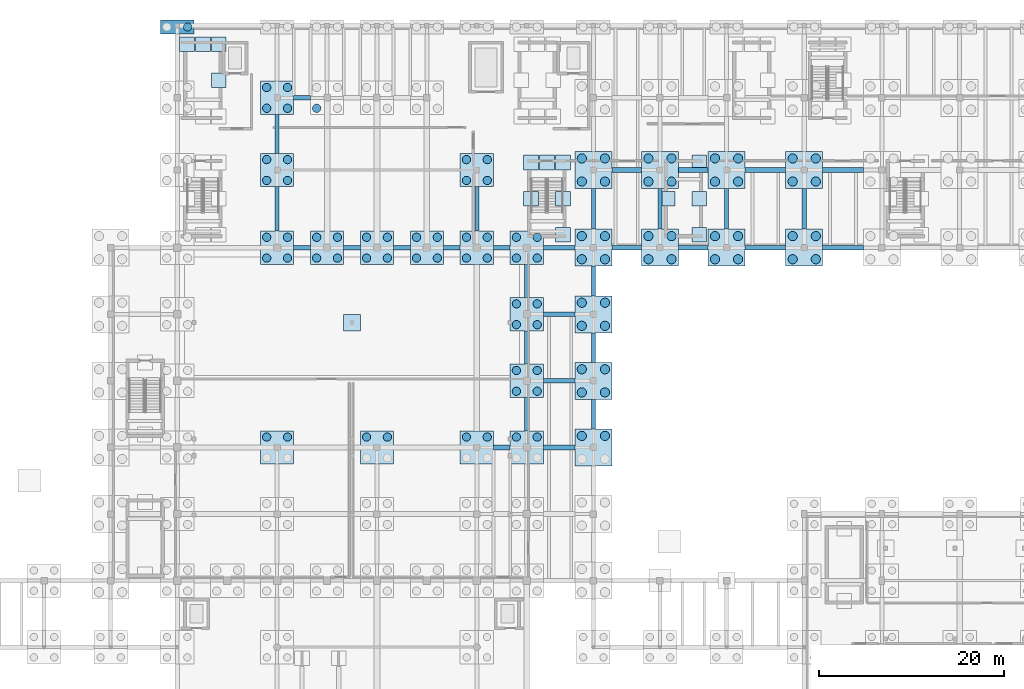
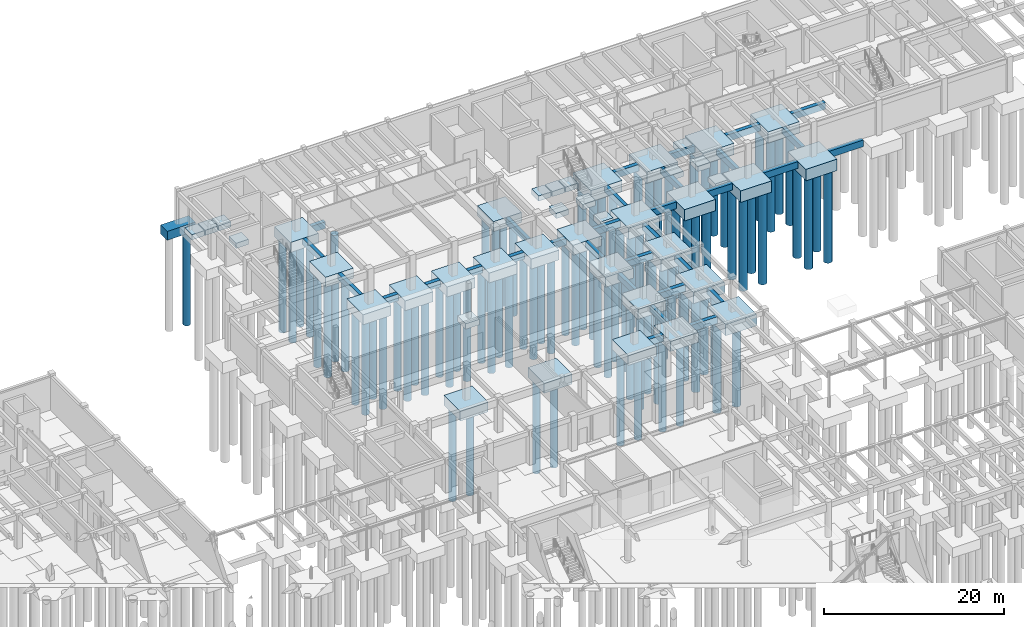
# One storey, part 6 of 46: 96 piles, 74 footings.
"""IFC4 building model written with IfcOpenShell, lengths in metres."""

import ifcopenshell
import ifcopenshell.guid

model = None  # the IFC model being written
_history = None  # IfcOwnerHistory: only IFC2X3 demands one
_inside = {}  # id of a spatial element -> (the spatial element, [elements in it])
_under = {}  # id of a project, library or spatial element -> (it, [spatial elements below it])
_declared = {}  # id of a project -> (the project, [libraries it declares])
_typed = {}  # id of a type object -> (the type object, [elements of that type])
_made_of = {}  # id of a material, layer set ... -> (it, [elements and type objects made of it])


def new_model(schema):
    """Start an empty IFC model of exactly this schema.

    Asked for "IFC4X3", IfcOpenShell would pick the latest addendum, in which some entities
    have other attributes; the version numbers below select the first issue.
    IFC2X3 requires an IfcOwnerHistory on every rooted entity: one is made here for all.
    """
    global model, _history
    if schema == "IFC4X3":
        model = ifcopenshell.file(schema_version=(4, 3, 0, 0))
    else:
        model = ifcopenshell.file(schema=schema)
    _inside.clear()
    _under.clear()
    _declared.clear()
    _typed.clear()
    _made_of.clear()
    _history = None
    if model.schema == "IFC2X3":
        org = make("IfcOrganization", Name="unknown")
        user = make(
            "IfcPersonAndOrganization",
            ThePerson=make("IfcPerson", FamilyName="unknown"),
            TheOrganization=org,
        )
        app = make(
            "IfcApplication",
            ApplicationDeveloper=org,
            Version="unknown",
            ApplicationFullName="unknown",
            ApplicationIdentifier="unknown",
        )
        _history = make(
            "IfcOwnerHistory",
            OwningUser=user,
            OwningApplication=app,
            ChangeAction="ADDED",
            CreationDate=0,
        )
    return model


def make(cls, **values):
    """One entity of the class cls with the attributes given. An attribute that is None is left unset."""
    return model.create_entity(
        cls, **{name: value for name, value in values.items() if value is not None}
    )


def rooted(cls, **values):
    """An entity with a GlobalId (a new one), such as an element, a storey or a relation."""
    return make(cls, GlobalId=ifcopenshell.guid.new(), OwnerHistory=_history, **values)


def si_unit(unit_type, name, prefix=None):
    """IfcSIUnit, for example si_unit("LENGTHUNIT", "METRE", prefix="MILLI")."""
    return make("IfcSIUnit", UnitType=unit_type, Prefix=prefix, Name=name)


def assignment(units):
    """IfcUnitAssignment: the units of a project."""
    return None if units is None else make("IfcUnitAssignment", Units=units)


def point(xyz):
    """IfcCartesianPoint."""
    return None if xyz is None else make("IfcCartesianPoint", Coordinates=xyz)


def direction(xyz):
    """IfcDirection."""
    return None if xyz is None else make("IfcDirection", DirectionRatios=xyz)


def frame(location, z_axis=None, x_axis=None):
    """IfcAxis2Placement3D, a coordinate frame: its origin and axes. An axis left out is left unset."""
    return make(
        "IfcAxis2Placement3D",
        Location=point(location),
        Axis=direction(z_axis),
        RefDirection=direction(x_axis),
    )


def frame_2d(location, x_axis=None):
    """IfcAxis2Placement2D, a coordinate frame in the plane: its origin and x axis."""
    return make(
        "IfcAxis2Placement2D", Location=point(location), RefDirection=direction(x_axis)
    )


def origin():
    """The frame at (0, 0, 0) with its axes left unset."""
    return frame((0.0, 0.0, 0.0))


def origin_2d():
    """The frame at (0, 0) in the plane with its x axis left unset."""
    return frame_2d((0.0, 0.0))


def place(relative_to, where):
    """IfcLocalPlacement: puts the frame where relative to a parent placement (None: the world)."""
    return make(
        "IfcLocalPlacement", PlacementRelTo=relative_to, RelativePlacement=where
    )


def context(
    kind, dimensions, precision=None, world=None, true_north=None, identifier=None
):
    """IfcGeometricRepresentationContext, for example the 3D "Model" context."""
    return make(
        "IfcGeometricRepresentationContext",
        ContextIdentifier=identifier,
        ContextType=kind,
        CoordinateSpaceDimension=dimensions,
        Precision=precision,
        WorldCoordinateSystem=world,
        TrueNorth=true_north,
    )


def subcontext(parent, identifier, kind, view, scale=None):
    """IfcGeometricRepresentationSubContext, for example "Body" below "Model"."""
    return make(
        "IfcGeometricRepresentationSubContext",
        ContextIdentifier=identifier,
        ContextType=kind,
        ParentContext=parent,
        TargetScale=scale,
        TargetView=view,
    )


def project(units=None, contexts=None):
    """IfcProject with its units and contexts."""
    return rooted(
        "IfcProject",
        Name="project",
        RepresentationContexts=contexts,
        UnitsInContext=assignment(units),
    )


def spatial(cls, under=None, at=None, **own):
    """A site, building, storey or space (cls), placed at a placement, below another one or the project."""
    s = rooted(cls, ObjectPlacement=at, **own)
    if under is not None:
        _under.setdefault(under.id(), (under, []))[1].append(s)
    return s


def profile(cls, at=None, kind="AREA", **sizes):
    """A parametric profile (cls). Its sizes go by their IFC names, for example OverallWidth=200.0."""
    return make(cls, ProfileType=kind, Position=at, **sizes)


def rectangle(**sizes):
    """IfcRectangleProfileDef."""
    return profile("IfcRectangleProfileDef", **sizes)


def circle(**sizes):
    """IfcCircleProfileDef."""
    return profile("IfcCircleProfileDef", **sizes)


def extrude(swept, where, along, depth):
    """IfcExtrudedAreaSolid: the profile swept, set in the frame where, extruded along a direction by depth."""
    return make(
        "IfcExtrudedAreaSolid",
        SweptArea=swept,
        Position=where,
        ExtrudedDirection=direction(along),
        Depth=depth,
    )


def shape(context_of_items, identifier, shape_type, items):
    """IfcShapeRepresentation: the items that make up one representation, for example the "Body"."""
    return make(
        "IfcShapeRepresentation",
        ContextOfItems=context_of_items,
        RepresentationIdentifier=identifier,
        RepresentationType=shape_type,
        Items=items,
    )


def material(Name=None, Category=None):
    """IfcMaterial."""
    return make("IfcMaterial", Name=Name, Category=Category)


def material_profile(
    of_material, cross_section, Name=None, Category=None, Priority=None
):
    """IfcMaterialProfile: a cross section and its material."""
    return make(
        "IfcMaterialProfile",
        Name=Name,
        Material=of_material,
        Profile=cross_section,
        Priority=Priority,
        Category=Category,
    )


def profile_set(profiles, Name=None, composite=None):
    """IfcMaterialProfileSet."""
    return make(
        "IfcMaterialProfileSet",
        Name=Name,
        MaterialProfiles=profiles,
        CompositeProfile=composite,
    )


def made_of(thing, what):
    """Note that an element or type object is made of a material, layer set ...; save() writes the relation."""
    if what is not None:
        _made_of.setdefault(what.id(), (what, []))[1].append(thing)
    return thing


def type_object(cls, material=None, **own):
    """A type object (cls), such as IfcWallType, which elements share."""
    return made_of(rooted(cls, **own), material)


def element(
    cls,
    number,
    at=None,
    inside=None,
    cuts=None,
    type_object=None,
    material=None,
    context=None,
    identifier="Body",
    shape_type=None,
    held_by="IfcProductDefinitionShape",
    body=None,
    shapes=None,
    **own,
):
    """One element of the class cls, such as IfcWall. Its Tag is "e" and its number.

    at: its placement. inside: the storey or other place that contains it. cuts: it is an
    opening in that element (IfcRelVoidsElement). A single representation is given by context,
    identifier, shape_type and body (its items); several are given by shapes. held_by: the class
    of the entity that holds the representations. save() writes the other relations.
    """
    e = rooted(cls, Tag="e%d" % number, ObjectPlacement=at, **own)
    if body is not None:
        shapes = [shape(context, identifier, shape_type, body)]
    if shapes is not None:
        e.Representation = make(held_by, Representations=shapes)
    if inside is not None:
        _inside.setdefault(inside.id(), (inside, []))[1].append(e)
    if cuts is not None:
        rooted(
            "IfcRelVoidsElement", RelatingBuildingElement=cuts, RelatedOpeningElement=e
        )
    if type_object is not None:
        _typed.setdefault(type_object.id(), (type_object, []))[1].append(e)
    return made_of(e, material)


def aggregate(whole, parts):
    """IfcRelAggregates: a whole, such as a stair, and the parts it consists of."""
    return rooted("IfcRelAggregates", RelatingObject=whole, RelatedObjects=parts)


def save(model, path):
    """Write the relations noted so far, then the file.

    IfcRelAggregates (storeys below a building ...), IfcRelContainedInSpatialStructure (elements
    in a storey), IfcRelDefinesByType, IfcRelAssociatesMaterial and IfcRelDeclares: one each for
    every whole, place, type object, material and project.
    """
    for whole, parts in _under.values():
        aggregate(whole, parts)
    for where, things in _inside.values():
        rooted(
            "IfcRelContainedInSpatialStructure",
            RelatedElements=things,
            RelatingStructure=where,
        )
    for kind, things in _typed.values():
        rooted("IfcRelDefinesByType", RelatedObjects=things, RelatingType=kind)
    for what, things in _made_of.values():
        rooted("IfcRelAssociatesMaterial", RelatedObjects=things, RelatingMaterial=what)
    for by, libraries in _declared.values():
        rooted("IfcRelDeclares", RelatingContext=by, RelatedDefinitions=libraries)
    model.write(path)


model = new_model("IFC4")

# Units and contexts
model_context = context("Model", 3, precision=1e-05, world=origin(), true_north=direction((0.0, 1.0)))
body_context = subcontext(model_context, "Body", "Model", "MODEL_VIEW")
ifc_project = project(units=[si_unit("LENGTHUNIT", "METRE"), si_unit("AREAUNIT", "SQUARE_METRE"), si_unit("VOLUMEUNIT", "CUBIC_METRE"), si_unit("PLANEANGLEUNIT", "RADIAN"), si_unit("MASSUNIT", "GRAM", prefix="KILO")], contexts=[model_context])

# Site, building, storey
site_placement = place(None, origin())
site = spatial("IfcSite", under=ifc_project, at=site_placement, CompositionType="ELEMENT")
building_placement = place(site_placement, origin())
building = spatial("IfcBuilding", under=site, at=building_placement, Name="Tazoul Stagehouse", CompositionType="ELEMENT")
storey_placement = place(building_placement, frame((0.0, 0.0, -4.800048828125)))
storey = spatial("IfcBuildingStorey", under=building, at=storey_placement, Name="B1", CompositionType="ELEMENT", Elevation=-4.800048828125)

# Piles
ifc_material = material(Name="Concrete C35/45", Category="concrete")
ifc_material_profile_1 = material_profile(ifc_material, circle(Radius=0.5, at=origin_2d()), Name="BORED PILE 1000")
ifc_profile_set_1 = profile_set([ifc_material_profile_1], Name="Concrete C35/45")
pile_type_1 = type_object("IfcPileType", Name="Bored Cast-in-Place Concrete Pile D1000", PredefinedType="BORED", material=ifc_profile_set_1)
for number, where, z_axis, x_axis, name in (
    (1, (101.35009765625, 67.449951171875, -1.449951171875), (0.0, 0.0, -1.0), (1.0, 0.0, 0.0), "Bored Pile PL-03 16/K-3"),
    (2, (103.85009765625, 67.449951171875, -1.449951171875), (0.0, 0.0, -1.0), (1.0, 0.0, 0.0), "Bored Pile PL-03 16/K-4"),
    (3, (101.35009765625, 72.14990234375, -1.449951171875), (0.0, 0.0, -1.0), (1.0, 0.0, 0.0), "Bored Pile PL-03 16/L-1"),
    (4, (103.85009765625, 72.14990234375, -1.449951171875), (0.0, 0.0, -1.0), (1.0, 0.0, 0.0), "Bored Pile PL-03 16/L-2"),
    (5, (101.35009765625, 74.64990234375, -1.449951171875), (0.0, 0.0, -1.0), (1.0, 0.0, 0.0), "Bored Pile PL-03 16/L-3"),
    (6, (103.85009765625, 74.64990234375, -1.449951171875), (0.0, 0.0, -1.0), (1.0, 0.0, 0.0), "Bored Pile PL-03 16/L-4"),
    (7, (101.35009765625, 79.35009765625, -1.449951171875), (0.0, 0.0, -1.0), (1.0, 0.0, 0.0), "Bored Pile PL-03 16/M-1"),
    (8, (103.85009765625, 79.35009765625, -1.449951171875), (0.0, 0.0, -1.0), (1.0, 0.0, 0.0), "Bored Pile PL-03 16/M-2"),
    (9, (101.35009765625, 81.85009765625, -1.449951171875), (0.0, 0.0, -1.0), (1.0, 0.0, 0.0), "Bored Pile PL-03 16/M-3"),
    (10, (103.85009765625, 81.85009765625, -1.449951171875), (0.0, 0.0, -1.0), (1.0, 0.0, 0.0), "Bored Pile PL-03 16/M-4"),
    (11, (101.35009765625, 86.550048828125, -1.449951171875), (0.0, 0.0, -1.0), (1.0, 0.0, 0.0), "Bored Pile PL-03 16/N-1"),
    (12, (103.85009765625, 86.550048828125, -1.449951171875), (0.0, 0.0, -1.0), (1.0, 0.0, 0.0), "Bored Pile PL-03 16/N-2"),
    (13, (101.35009765625, 89.050048828125, -1.449951171875), (0.0, 0.0, -1.0), (1.0, 0.0, 0.0), "Bored Pile PL-03 16/N-3"),
    (14, (103.85009765625, 89.050048828125, -1.449951171875), (0.0, 0.0, -1.0), (1.0, 0.0, 0.0), "Bored Pile PL-03 16/N-4"),
    (15, (101.35009765625, 94.949951171875, -1.449951171875), (0.0, 0.0, -1.0), (1.0, 0.0, 0.0), "Bored Pile PL-03 16/P-1"),
    (16, (103.85009765625, 94.949951171875, -1.449951171875), (0.0, 0.0, -1.0), (1.0, 0.0, 0.0), "Bored Pile PL-03 16/P-2"),
    (17, (101.35009765625, 97.449951171875, -1.449951171875), (0.0, 0.0, -1.0), (1.0, 0.0, 0.0), "Bored Pile PL-03 16/P-3"),
    (18, (103.85009765625, 97.449951171875, -1.449951171875), (0.0, 0.0, -1.0), (1.0, 0.0, 0.0), "Bored Pile PL-03 16/P-4"),
    (19, (108.550048828125, 86.550048828125, -1.449951171875), (0.0, 0.0, -1.0), (1.0, 0.0, 0.0), "Bored Pile PL-03 17/N-1"),
    (20, (111.050048828125, 86.550048828125, -1.449951171875), (0.0, 0.0, -1.0), (1.0, 0.0, 0.0), "Bored Pile PL-03 17/N-2"),
    (21, (108.550048828125, 89.050048828125, -1.449951171875), (0.0, 0.0, -1.0), (1.0, 0.0, 0.0), "Bored Pile PL-03 17/N-3"),
    (22, (111.050048828125, 89.050048828125, -1.449951171875), (0.0, 0.0, -1.0), (1.0, 0.0, 0.0), "Bored Pile PL-03 17/N-4"),
    (23, (108.550048828125, 94.949951171875, -1.449951171875), (0.0, 0.0, -1.0), (1.0, 0.0, 0.0), "Bored Pile PL-03 17/P-1"),
    (24, (111.050048828125, 94.949951171875, -1.449951171875), (0.0, 0.0, -1.0), (1.0, 0.0, 0.0), "Bored Pile PL-03 17/P-2"),
    (25, (108.550048828125, 97.449951171875, -1.449951171875), (0.0, 0.0, -1.0), (1.0, 0.0, 0.0), "Bored Pile PL-03 17/P-3"),
    (26, (111.050048828125, 97.449951171875, -1.449951171875), (0.0, 0.0, -1.0), (1.0, 0.0, 0.0), "Bored Pile PL-03 17/P-4"),
    (27, (115.75, 86.550048828125, -1.449951171875), (0.0, 0.0, -1.0), (1.0, 0.0, 0.0), "Bored Pile PL-03 18/N-1"),
    (28, (118.25, 86.550048828125, -1.449951171875), (0.0, 0.0, -1.0), (1.0, 0.0, 0.0), "Bored Pile PL-03 18/N-2"),
    (29, (115.75, 89.050048828125, -1.449951171875), (0.0, 0.0, -1.0), (1.0, 0.0, 0.0), "Bored Pile PL-03 18/N-3"),
    (30, (118.25, 89.050048828125, -1.449951171875), (0.0, 0.0, -1.0), (1.0, 0.0, 0.0), "Bored Pile PL-03 18/N-4"),
    (31, (115.75, 94.949951171875, -1.449951171875), (0.0, 0.0, -1.0), (1.0, 0.0, 0.0), "Bored Pile PL-03 18/P-1"),
    (32, (118.25, 94.949951171875, -1.449951171875), (0.0, 0.0, -1.0), (1.0, 0.0, 0.0), "Bored Pile PL-03 18/P-2"),
    (33, (115.75, 97.449951171875, -1.449951171875), (0.0, 0.0, -1.0), (1.0, 0.0, 0.0), "Bored Pile PL-03 18/P-3"),
    (34, (118.25, 97.449951171875, -1.449951171875), (0.0, 0.0, -1.0), (1.0, 0.0, 0.0), "Bored Pile PL-03 18/P-4"),
    (35, (124.14990234375, 86.550048828125, -1.449951171875), (0.0, 0.0, -1.0), (1.0, 0.0, 0.0), "Bored Pile PL-03 19/N-1"),
    (36, (126.64990234375, 86.550048828125, -1.449951171875), (0.0, 0.0, -1.0), (1.0, 0.0, 0.0), "Bored Pile PL-03 19/N-2"),
    (37, (124.14990234375, 89.050048828125, -1.449951171875), (0.0, 0.0, -1.0), (1.0, 0.0, 0.0), "Bored Pile PL-03 19/N-3"),
    (38, (126.64990234375, 89.050048828125, -1.449951171875), (0.0, 0.0, -1.0), (1.0, 0.0, 0.0), "Bored Pile PL-03 19/N-4"),
    (39, (124.14990234375, 94.949951171875, -1.449951171875), (0.0, 0.0, -1.0), (1.0, 0.0, 0.0), "Bored Pile PL-03 19/P-1"),
    (40, (126.64990234375, 94.949951171875, -1.449951171875), (0.0, 0.0, -1.0), (1.0, 0.0, 0.0), "Bored Pile PL-03 19/P-2"),
    (41, (124.14990234375, 97.449951171875, -1.449951171875), (0.0, 0.0, -1.0), (1.0, 0.0, 0.0), "Bored Pile PL-03 19/P-3"),
    (42, (126.64990234375, 97.449951171875, -1.449951171875), (0.0, 0.0, -1.0), (1.0, 0.0, 0.0), "Bored Pile PL-03 19/P-4"),
):
    element("IfcPile", number, at=place(storey_placement, frame(where, z_axis=z_axis, x_axis=x_axis)), inside=storey, type_object=pile_type_1, Name=name, PredefinedType="BORED", context=body_context, shape_type="SweptSolid", body=[
        extrude(circle(Radius=0.5, at=origin_2d()), origin(), (0.0, 0.0, 1.0), 12.550048828125),
    ])
ifc_material_profile_2 = material_profile(ifc_material, circle(Radius=0.449951171875, at=origin_2d()), Name="BORED PILE 900")
ifc_profile_set_2 = profile_set([ifc_material_profile_2], Name="Concrete C35/45")
pile_type_2 = type_object("IfcPileType", Name="Bored Cast-in-Place Concrete Pile D900", PredefinedType="BORED", material=ifc_profile_set_2)
for number, where, z_axis, x_axis, name in (
    (43, (67.27490234375, 67.324951171875, -1.25), (0.0, 0.0, -1.0), (1.0, 0.0, 0.0), "Bored Pile PL-02 10/K-3"),
    (44, (69.52490234375, 67.324951171875, -1.25), (0.0, 0.0, -1.0), (1.0, 0.0, 0.0), "Bored Pile PL-02 10/K-4"),
    (45, (67.27490234375, 86.675048828125, -1.25), (0.0, 0.0, -1.0), (1.0, 0.0, 0.0), "Bored Pile PL-02 10/N-1"),
    (46, (69.52490234375, 86.675048828125, -1.25), (0.0, 0.0, -1.0), (1.0, 0.0, 0.0), "Bored Pile PL-02 10/N-2"),
    (47, (67.27490234375, 88.925048828125, -1.25), (0.0, 0.0, -1.0), (1.0, 0.0, 0.0), "Bored Pile PL-02 10/N-3"),
    (48, (69.52490234375, 88.925048828125, -1.25), (0.0, 0.0, -1.0), (1.0, 0.0, 0.0), "Bored Pile PL-02 10/N-4"),
    (49, (67.27490234375, 95.074951171875, -1.25), (0.0, 0.0, -1.0), (1.0, 0.0, 0.0), "Bored Pile PL-02 10/P-1"),
    (50, (69.52490234375, 95.074951171875, -1.25), (0.0, 0.0, -1.0), (1.0, 0.0, 0.0), "Bored Pile PL-02 10/P-2"),
    (51, (67.27490234375, 97.324951171875, -1.25), (0.0, 0.0, -1.0), (1.0, 0.0, 0.0), "Bored Pile PL-02 10/P-3"),
    (52, (69.52490234375, 97.324951171875, -1.25), (0.0, 0.0, -1.0), (1.0, 0.0, 0.0), "Bored Pile PL-02 10/P-4"),
    (53, (67.27490234375, 102.875, -1.25), (0.0, 0.0, -1.0), (1.0, 0.0, 0.0), "Bored Pile PL-02 10/Q-1"),
    (54, (69.52490234375, 102.875, -1.25), (0.0, 0.0, -1.0), (1.0, 0.0, 0.0), "Bored Pile PL-02 10/Q-2"),
    (55, (67.27490234375, 105.125, -1.25), (0.0, 0.0, -1.0), (1.0, 0.0, 0.0), "Bored Pile PL-02 10/Q-3"),
    (56, (69.52490234375, 105.125, -1.25), (0.0, 0.0, -1.0), (1.0, 0.0, 0.0), "Bored Pile PL-02 10/Q-4"),
    (57, (72.675048828125, 86.675048828125, -1.25), (0.0, 0.0, -1.0), (1.0, 0.0, 0.0), "Bored Pile PL-02 11/N-1"),
    (58, (74.925048828125, 86.675048828125, -1.25), (0.0, 0.0, -1.0), (1.0, 0.0, 0.0), "Bored Pile PL-02 11/N-2"),
    (59, (72.675048828125, 88.925048828125, -1.25), (0.0, 0.0, -1.0), (1.0, 0.0, 0.0), "Bored Pile PL-02 11/N-3"),
    (60, (74.925048828125, 88.925048828125, -1.25), (0.0, 0.0, -1.0), (1.0, 0.0, 0.0), "Bored Pile PL-02 11/N-4"),
    (61, (72.675048828125, 102.875, -1.25), (0.0, 0.0, -1.0), (1.0, 0.0, 0.0), "Bored Pile PL-02 11/Q-1"),
    (62, (78.074951171875, 67.324951171875, -1.25), (0.0, 0.0, -1.0), (1.0, 0.0, 0.0), "Bored Pile PL-02 12/K-3"),
    (63, (80.324951171875, 67.324951171875, -1.25), (0.0, 0.0, -1.0), (1.0, 0.0, 0.0), "Bored Pile PL-02 12/K-4"),
    (64, (78.074951171875, 86.675048828125, -1.25), (0.0, 0.0, -1.0), (1.0, 0.0, 0.0), "Bored Pile PL-02 12/N-1"),
    (65, (80.324951171875, 86.675048828125, -1.25), (0.0, 0.0, -1.0), (1.0, 0.0, 0.0), "Bored Pile PL-02 12/N-2"),
    (66, (78.074951171875, 88.925048828125, -1.25), (0.0, 0.0, -1.0), (1.0, 0.0, 0.0), "Bored Pile PL-02 12/N-3"),
    (67, (80.324951171875, 88.925048828125, -1.25), (0.0, 0.0, -1.0), (1.0, 0.0, 0.0), "Bored Pile PL-02 12/N-4"),
    (68, (83.47509765625, 86.675048828125, -1.25), (0.0, 0.0, -1.0), (1.0, 0.0, 0.0), "Bored Pile PL-02 13/N-1"),
    (69, (85.72509765625, 86.675048828125, -1.25), (0.0, 0.0, -1.0), (1.0, 0.0, 0.0), "Bored Pile PL-02 13/N-2"),
    (70, (83.47509765625, 88.925048828125, -1.25), (0.0, 0.0, -1.0), (1.0, 0.0, 0.0), "Bored Pile PL-02 13/N-3"),
    (71, (85.72509765625, 88.925048828125, -1.25), (0.0, 0.0, -1.0), (1.0, 0.0, 0.0), "Bored Pile PL-02 13/N-4"),
    (72, (88.875, 67.324951171875, -1.25), (0.0, 0.0, -1.0), (1.0, 0.0, 0.0), "Bored Pile PL-02 14/K-3"),
    (73, (91.125, 67.324951171875, -1.25), (0.0, 0.0, -1.0), (1.0, 0.0, 0.0), "Bored Pile PL-02 14/K-4"),
    (74, (88.875, 86.675048828125, -1.25), (0.0, 0.0, -1.0), (1.0, 0.0, 0.0), "Bored Pile PL-02 14/N-1"),
    (75, (91.125, 86.675048828125, -1.25), (0.0, 0.0, -1.0), (1.0, 0.0, 0.0), "Bored Pile PL-02 14/N-2"),
    (76, (88.875, 88.925048828125, -1.25), (0.0, 0.0, -1.0), (1.0, 0.0, 0.0), "Bored Pile PL-02 14/N-3"),
    (77, (91.125, 88.925048828125, -1.25), (0.0, 0.0, -1.0), (1.0, 0.0, 0.0), "Bored Pile PL-02 14/N-4"),
    (78, (88.875, 95.074951171875, -1.25), (0.0, 0.0, -1.0), (1.0, 0.0, 0.0), "Bored Pile PL-02 14/P-1"),
    (79, (91.125, 95.074951171875, -1.25), (0.0, 0.0, -1.0), (1.0, 0.0, 0.0), "Bored Pile PL-02 14/P-2"),
    (80, (88.875, 97.324951171875, -1.25), (0.0, 0.0, -1.0), (1.0, 0.0, 0.0), "Bored Pile PL-02 14/P-3"),
    (81, (91.125, 97.324951171875, -1.25), (0.0, 0.0, -1.0), (1.0, 0.0, 0.0), "Bored Pile PL-02 14/P-4"),
    (82, (94.27490234375, 67.324951171875, -1.25), (0.0, 0.0, -1.0), (1.0, 0.0, 0.0), "Bored Pile PL-02 15/K-3"),
    (83, (96.52490234375, 67.324951171875, -1.25), (0.0, 0.0, -1.0), (1.0, 0.0, 0.0), "Bored Pile PL-02 15/K-4"),
    (84, (94.27490234375, 72.27490234375, -1.25), (0.0, 0.0, -1.0), (1.0, 0.0, 0.0), "Bored Pile PL-02 15/L-1"),
    (85, (96.52490234375, 72.27490234375, -1.25), (0.0, 0.0, -1.0), (1.0, 0.0, 0.0), "Bored Pile PL-02 15/L-2"),
    (86, (94.27490234375, 74.52490234375, -1.25), (0.0, 0.0, -1.0), (1.0, 0.0, 0.0), "Bored Pile PL-02 15/L-3"),
    (87, (96.52490234375, 74.52490234375, -1.25), (0.0, 0.0, -1.0), (1.0, 0.0, 0.0), "Bored Pile PL-02 15/L-4"),
    (88, (94.27490234375, 79.47509765625, -1.25), (0.0, 0.0, -1.0), (1.0, 0.0, 0.0), "Bored Pile PL-02 15/M-1"),
    (89, (96.52490234375, 79.47509765625, -1.25), (0.0, 0.0, -1.0), (1.0, 0.0, 0.0), "Bored Pile PL-02 15/M-2"),
    (90, (94.27490234375, 81.72509765625, -1.25), (0.0, 0.0, -1.0), (1.0, 0.0, 0.0), "Bored Pile PL-02 15/M-3"),
    (91, (96.52490234375, 81.72509765625, -1.25), (0.0, 0.0, -1.0), (1.0, 0.0, 0.0), "Bored Pile PL-02 15/M-4"),
    (92, (94.27490234375, 86.675048828125, -1.25), (0.0, 0.0, -1.0), (1.0, 0.0, 0.0), "Bored Pile PL-02 15/N-1"),
    (93, (96.52490234375, 86.675048828125, -1.25), (0.0, 0.0, -1.0), (1.0, 0.0, 0.0), "Bored Pile PL-02 15/N-2"),
    (94, (94.27490234375, 88.925048828125, -1.25), (0.0, 0.0, -1.0), (1.0, 0.0, 0.0), "Bored Pile PL-02 15/N-3"),
    (95, (96.52490234375, 88.925048828125, -1.25), (0.0, 0.0, -1.0), (1.0, 0.0, 0.0), "Bored Pile PL-02 15/N-4"),
):
    element("IfcPile", number, at=place(storey_placement, frame(where, z_axis=z_axis, x_axis=x_axis)), inside=storey, type_object=pile_type_2, Name=name, PredefinedType="BORED", context=body_context, shape_type="SweptSolid", body=[
        extrude(circle(Radius=0.449951171875, at=origin_2d()), origin(), (0.0, 0.0, 1.0), 12.75),
    ])
pile_placement = place(storey_placement, frame((58.72509765625, 111.669921875, -1.099853515625), z_axis=(0.0, 0.0, -1.0), x_axis=(1.0, 0.0, 0.0)))
element("IfcPile", 96, at=pile_placement, inside=storey, type_object=pile_type_2, Name="Bored Pile PL-02 8/R-2", PredefinedType="BORED", context=body_context, shape_type="SweptSolid", body=[
    extrude(circle(Radius=0.449951171875, at=origin_2d()), origin(), (0.0, 0.0, 1.0), 12.89990234375),
])

# Footings
footing_type_1 = type_object("IfcFootingType", Name="Four-Pile Cap 3600x3600x1350", PredefinedType="PILE_CAP", material=ifc_material)
for number, where, z_axis, x_axis, name in (
    (97, (68.39990234375, 66.199951171875, -1.35009765625), (0.0, 0.0, 1.0), (1.0, 0.0, 0.0), "Pile Cap PC-04 at 10/K"),
    (98, (68.39990234375, 87.800048828125, -1.35009765625), (0.0, 0.0, 1.0), (1.0, 0.0, 0.0), "Pile Cap PC-04 at 10/N"),
    (99, (68.39990234375, 96.199951171875, -1.35009765625), (0.0, 0.0, 1.0), (1.0, 0.0, 0.0), "Pile Cap PC-04 at 10/P"),
    (100, (68.39990234375, 104.0, -1.35009765625), (0.0, 0.0, 1.0), (1.0, 0.0, 0.0), "Pile Cap PC-04 at 10/Q"),
    (101, (73.800048828125, 87.800048828125, -1.35009765625), (0.0, 0.0, 1.0), (1.0, 0.0, 0.0), "Pile Cap PC-04 at 11/N"),
    (102, (79.199951171875, 66.199951171875, -1.35009765625), (0.0, 0.0, 1.0), (1.0, 0.0, 0.0), "Pile Cap PC-04 at 12/K"),
    (103, (79.199951171875, 87.800048828125, -1.35009765625), (0.0, 0.0, 1.0), (1.0, 0.0, 0.0), "Pile Cap PC-04 at 12/N"),
    (104, (84.60009765625, 87.800048828125, -1.35009765625), (0.0, 0.0, 1.0), (1.0, 0.0, 0.0), "Pile Cap PC-04 at 13/N"),
    (105, (90.0, 66.199951171875, -1.35009765625), (0.0, 0.0, 1.0), (1.0, 0.0, 0.0), "Pile Cap PC-04 at 14/K"),
    (106, (90.0, 87.800048828125, -1.35009765625), (0.0, 0.0, 1.0), (1.0, 0.0, 0.0), "Pile Cap PC-04 at 14/N"),
    (107, (90.0, 96.199951171875, -1.35009765625), (0.0, 0.0, 1.0), (1.0, 0.0, 0.0), "Pile Cap PC-04 at 14/P"),
    (108, (95.39990234375, 66.199951171875, -1.35009765625), (0.0, 0.0, 1.0), (1.0, 0.0, 0.0), "Pile Cap PC-04 at 15/K"),
    (109, (95.39990234375, 73.39990234375, -1.35009765625), (0.0, 0.0, 1.0), (1.0, 0.0, 0.0), "Pile Cap PC-04 at 15/L"),
    (110, (95.39990234375, 80.60009765625, -1.35009765625), (0.0, 0.0, 1.0), (1.0, 0.0, 0.0), "Pile Cap PC-04 at 15/M"),
    (111, (95.39990234375, 87.800048828125, -1.35009765625), (0.0, 0.0, 1.0), (1.0, 0.0, 0.0), "Pile Cap PC-04 at 15/N"),
):
    element("IfcFooting", number, at=place(storey_placement, frame(where, z_axis=z_axis, x_axis=x_axis)), inside=storey, type_object=footing_type_1, Name=name, PredefinedType="PILE_CAP", context=body_context, shape_type="SweptSolid", body=[
        extrude(rectangle(XDim=3.60009765625, YDim=3.60009765625, at=origin_2d()), origin(), (0.0, 0.0, 1.0), 1.35009765625),
    ])
footing_type_2 = type_object("IfcFootingType", Name="Four-Pile Cap 4000x4000x1550", PredefinedType="PILE_CAP", material=ifc_material)
for number, where, z_axis, x_axis, name in (
    (112, (102.60009765625, 66.199951171875, -1.5498046875), (0.0, 0.0, 1.0), (1.0, 0.0, 0.0), "Pile Cap PC-06 at 16/K"),
    (113, (102.60009765625, 73.39990234375, -1.5498046875), (0.0, 0.0, 1.0), (1.0, 0.0, 0.0), "Pile Cap PC-06 at 16/L"),
    (114, (102.60009765625, 80.60009765625, -1.5498046875), (0.0, 0.0, 1.0), (1.0, 0.0, 0.0), "Pile Cap PC-06 at 16/M"),
    (115, (102.60009765625, 87.800048828125, -1.5498046875), (0.0, 0.0, 1.0), (1.0, 0.0, 0.0), "Pile Cap PC-06 at 16/N"),
    (116, (102.60009765625, 96.199951171875, -1.5498046875), (0.0, 0.0, 1.0), (1.0, 0.0, 0.0), "Pile Cap PC-06 at 16/P"),
    (117, (109.800048828125, 87.800048828125, -1.5498046875), (0.0, 0.0, 1.0), (1.0, 0.0, 0.0), "Pile Cap PC-06 at 17/N"),
    (118, (109.800048828125, 96.199951171875, -1.5498046875), (0.0, 0.0, 1.0), (1.0, 0.0, 0.0), "Pile Cap PC-06 at 17/P"),
    (119, (117.0, 87.800048828125, -1.5498046875), (0.0, 0.0, 1.0), (1.0, 0.0, 0.0), "Pile Cap PC-06 at 18/N"),
    (120, (117.0, 96.199951171875, -1.5498046875), (0.0, 0.0, 1.0), (1.0, 0.0, 0.0), "Pile Cap PC-06 at 18/P"),
    (121, (125.39990234375, 87.800048828125, -1.5498046875), (0.0, 0.0, 1.0), (1.0, 0.0, 0.0), "Pile Cap PC-06 at 19/N"),
    (122, (125.39990234375, 96.199951171875, -1.5498046875), (0.0, 0.0, 1.0), (1.0, 0.0, 0.0), "Pile Cap PC-06 at 19/P"),
):
    element("IfcFooting", number, at=place(storey_placement, frame(where, z_axis=z_axis, x_axis=x_axis)), inside=storey, type_object=footing_type_2, Name=name, PredefinedType="PILE_CAP", context=body_context, shape_type="SweptSolid", body=[
        extrude(rectangle(XDim=4.0, YDim=4.0, at=origin_2d()), origin(), (0.0, 0.0, 1.0), 1.550048828125),
    ])
ifc_material_profile_3 = material_profile(ifc_material, rectangle(XDim=0.449951171875, YDim=0.800048828125, at=origin_2d()), Name="RC 450x800")
ifc_profile_set_3 = profile_set([ifc_material_profile_3], Name="Concrete C35/45")
footing_type_3 = type_object("IfcFootingType", Name="Ground Tie Beam 450x800", PredefinedType="FOOTING_BEAM", material=ifc_profile_set_3)
footing_1_placement = place(storey_placement, frame((68.39990234375, 89.60009765625, -0.39990234375), z_axis=(0.0, 1.0, 0.0), x_axis=(-1.0, 0.0, 0.0)))
element("IfcFooting", 123, at=footing_1_placement, inside=storey, type_object=footing_type_3, Name="Ground Tie Beam GB-01 10/N-P", PredefinedType="FOOTING_BEAM", context=body_context, shape_type="SweptSolid", body=[
    extrude(rectangle(XDim=0.449951171875, YDim=0.800048828125, at=origin_2d()), origin(), (0.0, 0.0, 1.0), 4.7998046875),
])
footing_2_placement = place(storey_placement, frame((68.39990234375, 98.0, -0.39990234375), z_axis=(0.0, 1.0, 0.0), x_axis=(-1.0, 0.0, 0.0)))
element("IfcFooting", 124, at=footing_2_placement, inside=storey, type_object=footing_type_3, Name="Ground Tie Beam GB-01 10/P-Q", PredefinedType="FOOTING_BEAM", context=body_context, shape_type="SweptSolid", body=[
    extrude(rectangle(XDim=0.449951171875, YDim=0.800048828125, at=origin_2d()), origin(), (0.0, 0.0, 1.0), 4.199951171875),
])
footing_3_placement = place(storey_placement, frame((90.0, 89.60009765625, -0.39990234375), z_axis=(0.0, 1.0, 0.0), x_axis=(-1.0, 0.0, 0.0)))
element("IfcFooting", 125, at=footing_3_placement, inside=storey, type_object=footing_type_3, Name="Ground Tie Beam GB-01 14/N-P", PredefinedType="FOOTING_BEAM", context=body_context, shape_type="SweptSolid", body=[
    extrude(rectangle(XDim=0.449951171875, YDim=0.800048828125, at=origin_2d()), origin(), (0.0, 0.0, 1.0), 4.7998046875),
])
for number, where, z_axis, x_axis, name in (
    (126, (95.39990234375, 68.0, -0.39990234375), (0.0, 1.0, 0.0), (-1.0, 0.0, 0.0), "Ground Tie Beam GB-01 15/K-L"),
    (127, (95.39990234375, 75.199951171875, -0.39990234375), (0.0, 1.0, 0.0), (-1.0, 0.0, 0.0), "Ground Tie Beam GB-01 15/L-M"),
    (128, (95.39990234375, 82.39990234375, -0.39990234375), (0.0, 1.0, 0.0), (-1.0, 0.0, 0.0), "Ground Tie Beam GB-01 15/M-N"),
):
    element("IfcFooting", number, at=place(storey_placement, frame(where, z_axis=z_axis, x_axis=x_axis)), inside=storey, type_object=footing_type_3, Name=name, PredefinedType="FOOTING_BEAM", context=body_context, shape_type="SweptSolid", body=[
        extrude(rectangle(XDim=0.449951171875, YDim=0.800048828125, at=origin_2d()), origin(), (0.0, 0.0, 1.0), 3.60009765625),
    ])
footing_4_placement = place(storey_placement, frame((102.60009765625, 68.199951171875, -0.39990234375), z_axis=(0.0, 1.0, 0.0), x_axis=(-1.0, 0.0, 0.0)))
element("IfcFooting", 129, at=footing_4_placement, inside=storey, type_object=footing_type_3, Name="Ground Tie Beam GB-01 16/K-L", PredefinedType="FOOTING_BEAM", context=body_context, shape_type="SweptSolid", body=[
    extrude(rectangle(XDim=0.449951171875, YDim=0.800048828125, at=origin_2d()), origin(), (0.0, 0.0, 1.0), 3.199951171875),
])
footing_5_placement = place(storey_placement, frame((102.60009765625, 75.39990234375, -0.39990234375), z_axis=(0.0, 1.0, 0.0), x_axis=(-1.0, 0.0, 0.0)))
element("IfcFooting", 130, at=footing_5_placement, inside=storey, type_object=footing_type_3, Name="Ground Tie Beam GB-01 16/L-M", PredefinedType="FOOTING_BEAM", context=body_context, shape_type="SweptSolid", body=[
    extrude(rectangle(XDim=0.449951171875, YDim=0.800048828125, at=origin_2d()), origin(), (0.0, 0.0, 1.0), 3.2001953125),
])
footing_6_placement = place(storey_placement, frame((102.60009765625, 82.60009765625, -0.39990234375), z_axis=(0.0, 1.0, 0.0), x_axis=(-1.0, 0.0, 0.0)))
element("IfcFooting", 131, at=footing_6_placement, inside=storey, type_object=footing_type_3, Name="Ground Tie Beam GB-01 16/M-N", PredefinedType="FOOTING_BEAM", context=body_context, shape_type="SweptSolid", body=[
    extrude(rectangle(XDim=0.449951171875, YDim=0.800048828125, at=origin_2d()), origin(), (0.0, 0.0, 1.0), 3.199951171875),
])
for number, where, z_axis, x_axis, name in (
    (132, (102.60009765625, 89.800048828125, -0.39990234375), (0.0, 1.0, 0.0), (-1.0, 0.0, 0.0), "Ground Tie Beam GB-01 16/N-P"),
    (133, (109.800048828125, 89.800048828125, -0.39990234375), (0.0, 1.0, 0.0), (-1.0, 0.0, 0.0), "Ground Tie Beam GB-01 17/N-P"),
    (134, (117.0, 89.800048828125, -0.39990234375), (0.0, 1.0, 0.0), (-1.0, 0.0, 0.0), "Ground Tie Beam GB-01 18/N-P"),
    (135, (125.39990234375, 89.800048828125, -0.39990234375), (0.0, 1.0, 0.0), (-1.0, 0.0, 0.0), "Ground Tie Beam GB-01 19/N-P"),
):
    element("IfcFooting", number, at=place(storey_placement, frame(where, z_axis=z_axis, x_axis=x_axis)), inside=storey, type_object=footing_type_3, Name=name, PredefinedType="FOOTING_BEAM", context=body_context, shape_type="SweptSolid", body=[
        extrude(rectangle(XDim=0.449951171875, YDim=0.800048828125, at=origin_2d()), origin(), (0.0, 0.0, 1.0), 4.39990234375),
    ])
ifc_material_profile_4 = material_profile(ifc_material, rectangle(XDim=0.5, YDim=0.89990234375, at=origin_2d()), Name="RC 500x900")
ifc_profile_set_4 = profile_set([ifc_material_profile_4], Name="Concrete C35/45")
footing_type_4 = type_object("IfcFootingType", Name="Ground Tie Beam 500x900", PredefinedType="FOOTING_BEAM", material=ifc_profile_set_4)
footing_7_placement = place(storey_placement, frame((91.800048828125, 66.199951171875, -0.449951171875), z_axis=(1.0, 0.0, 0.0), x_axis=(0.0, 1.0, 0.0)))
element("IfcFooting", 136, at=footing_7_placement, inside=storey, type_object=footing_type_4, Name="Ground Tie Beam GB-02 K/14-15", PredefinedType="FOOTING_BEAM", context=body_context, shape_type="SweptSolid", body=[
    extrude(rectangle(XDim=0.5, YDim=0.89990234375, at=origin_2d()), origin(), (0.0, 0.0, 1.0), 1.800048828125),
])
for number, where, z_axis, x_axis, name in (
    (137, (97.199951171875, 66.199951171875, -0.449951171875), (1.0, 0.0, 0.0), (0.0, 1.0, 0.0), "Ground Tie Beam GB-02 K/15-16"),
    (138, (97.199951171875, 73.39990234375, -0.449951171875), (1.0, 0.0, 0.0), (0.0, 1.0, 0.0), "Ground Tie Beam GB-02 L/15-16"),
    (139, (97.199951171875, 80.60009765625, -0.449951171875), (1.0, 0.0, 0.0), (0.0, 1.0, 0.0), "Ground Tie Beam GB-02 M/15-16"),
):
    element("IfcFooting", number, at=place(storey_placement, frame(where, z_axis=z_axis, x_axis=x_axis)), inside=storey, type_object=footing_type_4, Name=name, PredefinedType="FOOTING_BEAM", context=body_context, shape_type="SweptSolid", body=[
        extrude(rectangle(XDim=0.5, YDim=0.89990234375, at=origin_2d()), origin(), (0.0, 0.0, 1.0), 3.400146484375),
    ])
footing_8_placement = place(storey_placement, frame((70.199951171875, 87.800048828125, -0.449951171875), z_axis=(1.0, 0.0, 0.0), x_axis=(0.0, 1.0, 0.0)))
element("IfcFooting", 140, at=footing_8_placement, inside=storey, type_object=footing_type_4, Name="Ground Tie Beam GB-02 N/10-11", PredefinedType="FOOTING_BEAM", context=body_context, shape_type="SweptSolid", body=[
    extrude(rectangle(XDim=0.5, YDim=0.89990234375, at=origin_2d()), origin(), (0.0, 0.0, 1.0), 1.800048828125),
])
footing_9_placement = place(storey_placement, frame((75.60009765625, 87.800048828125, -0.449951171875), z_axis=(1.0, 0.0, 0.0), x_axis=(0.0, 1.0, 0.0)))
element("IfcFooting", 141, at=footing_9_placement, inside=storey, type_object=footing_type_4, Name="Ground Tie Beam GB-02 N/11-12", PredefinedType="FOOTING_BEAM", context=body_context, shape_type="SweptSolid", body=[
    extrude(rectangle(XDim=0.5, YDim=0.89990234375, at=origin_2d()), origin(), (0.0, 0.0, 1.0), 1.7998046875),
])
for number, where, z_axis, x_axis, name in (
    (142, (81.0, 87.800048828125, -0.449951171875), (1.0, 0.0, 0.0), (0.0, 1.0, 0.0), "Ground Tie Beam GB-02 N/12-13"),
    (143, (86.39990234375, 87.800048828125, -0.449951171875), (1.0, 0.0, 0.0), (0.0, 1.0, 0.0), "Ground Tie Beam GB-02 N/13-14"),
    (144, (91.800048828125, 87.800048828125, -0.449951171875), (1.0, 0.0, 0.0), (0.0, 1.0, 0.0), "Ground Tie Beam GB-02 N/14-15"),
):
    element("IfcFooting", number, at=place(storey_placement, frame(where, z_axis=z_axis, x_axis=x_axis)), inside=storey, type_object=footing_type_4, Name=name, PredefinedType="FOOTING_BEAM", context=body_context, shape_type="SweptSolid", body=[
        extrude(rectangle(XDim=0.5, YDim=0.89990234375, at=origin_2d()), origin(), (0.0, 0.0, 1.0), 1.800048828125),
    ])
footing_10_placement = place(storey_placement, frame((97.199951171875, 87.800048828125, -0.449951171875), z_axis=(1.0, 0.0, 0.0), x_axis=(0.0, 1.0, 0.0)))
element("IfcFooting", 145, at=footing_10_placement, inside=storey, type_object=footing_type_4, Name="Ground Tie Beam GB-02 N/15-16", PredefinedType="FOOTING_BEAM", context=body_context, shape_type="SweptSolid", body=[
    extrude(rectangle(XDim=0.5, YDim=0.89990234375, at=origin_2d()), origin(), (0.0, 0.0, 1.0), 3.400146484375),
])
for number, where, z_axis, x_axis, name in (
    (146, (104.60009765625, 87.800048828125, -0.449951171875), (1.0, 0.0, 0.0), (0.0, 1.0, 0.0), "Ground Tie Beam GB-02 N/16-17"),
    (147, (111.800048828125, 87.800048828125, -0.449951171875), (1.0, 0.0, 0.0), (0.0, 1.0, 0.0), "Ground Tie Beam GB-02 N/17-18"),
):
    element("IfcFooting", number, at=place(storey_placement, frame(where, z_axis=z_axis, x_axis=x_axis)), inside=storey, type_object=footing_type_4, Name=name, PredefinedType="FOOTING_BEAM", context=body_context, shape_type="SweptSolid", body=[
        extrude(rectangle(XDim=0.5, YDim=0.89990234375, at=origin_2d()), origin(), (0.0, 0.0, 1.0), 3.199951171875),
    ])
footing_11_placement = place(storey_placement, frame((119.0, 87.800048828125, -0.449951171875), z_axis=(1.0, 0.0, 0.0), x_axis=(0.0, 1.0, 0.0)))
element("IfcFooting", 148, at=footing_11_placement, inside=storey, type_object=footing_type_4, Name="Ground Tie Beam GB-02 N/18-19", PredefinedType="FOOTING_BEAM", context=body_context, shape_type="SweptSolid", body=[
    extrude(rectangle(XDim=0.5, YDim=0.89990234375, at=origin_2d()), origin(), (0.0, 0.0, 1.0), 4.39990234375),
])
footing_12_placement = place(storey_placement, frame((127.39990234375, 87.800048828125, -0.449951171875), z_axis=(1.0, 0.0, 0.0), x_axis=(0.0, 1.0, 0.0)))
element("IfcFooting", 149, at=footing_12_placement, inside=storey, type_object=footing_type_4, Name="Ground Tie Beam GB-02 N/19-20", PredefinedType="FOOTING_BEAM", context=body_context, shape_type="SweptSolid", body=[
    extrude(rectangle(XDim=0.5, YDim=0.89990234375, at=origin_2d()), origin(), (0.0, 0.0, 1.0), 4.400146484375),
])
for number, where, z_axis, x_axis, name in (
    (150, (104.60009765625, 96.199951171875, -0.449951171875), (1.0, 0.0, 0.0), (0.0, 1.0, 0.0), "Ground Tie Beam GB-02 P/16-17"),
    (151, (111.800048828125, 96.199951171875, -0.449951171875), (1.0, 0.0, 0.0), (0.0, 1.0, 0.0), "Ground Tie Beam GB-02 P/17-18"),
):
    element("IfcFooting", number, at=place(storey_placement, frame(where, z_axis=z_axis, x_axis=x_axis)), inside=storey, type_object=footing_type_4, Name=name, PredefinedType="FOOTING_BEAM", context=body_context, shape_type="SweptSolid", body=[
        extrude(rectangle(XDim=0.5, YDim=0.89990234375, at=origin_2d()), origin(), (0.0, 0.0, 1.0), 3.199951171875),
    ])
footing_13_placement = place(storey_placement, frame((119.0, 96.199951171875, -0.449951171875), z_axis=(1.0, 0.0, 0.0), x_axis=(0.0, 1.0, 0.0)))
element("IfcFooting", 152, at=footing_13_placement, inside=storey, type_object=footing_type_4, Name="Ground Tie Beam GB-02 P/18-19", PredefinedType="FOOTING_BEAM", context=body_context, shape_type="SweptSolid", body=[
    extrude(rectangle(XDim=0.5, YDim=0.89990234375, at=origin_2d()), origin(), (0.0, 0.0, 1.0), 4.39990234375),
])
footing_14_placement = place(storey_placement, frame((127.39990234375, 96.199951171875, -0.449951171875), z_axis=(1.0, 0.0, 0.0), x_axis=(0.0, 1.0, 0.0)))
element("IfcFooting", 153, at=footing_14_placement, inside=storey, type_object=footing_type_4, Name="Ground Tie Beam GB-02 P/19-20", PredefinedType="FOOTING_BEAM", context=body_context, shape_type="SweptSolid", body=[
    extrude(rectangle(XDim=0.5, YDim=0.89990234375, at=origin_2d()), origin(), (0.0, 0.0, 1.0), 4.400146484375),
])
footing_15_placement = place(storey_placement, frame((70.199951171875, 104.0, -0.449951171875), z_axis=(1.0, 0.0, 0.0), x_axis=(0.0, 1.0, 0.0)))
element("IfcFooting", 154, at=footing_15_placement, inside=storey, type_object=footing_type_4, Name="Ground Tie Beam GB-02 Q/10-11", PredefinedType="FOOTING_BEAM", context=body_context, shape_type="SweptSolid", body=[
    extrude(rectangle(XDim=0.5, YDim=0.89990234375, at=origin_2d()), origin(), (0.0, 0.0, 1.0), 1.800048828125),
])
footing_type_5 = type_object("IfcFootingType", Name="Spread Pad Footing 1600x1600x700", PredefinedType="PAD_FOOTING", material=ifc_material)
for number, where, z_axis, x_axis, name in (
    (155, (99.300048828125, 97.0, -0.69970703125), (0.0, 0.0, 1.0), (1.0, 0.0, 0.0), "Core Support Pad Footing PF-01 (C1B2)"),
    (156, (95.85009765625, 97.0, -0.69970703125), (0.0, 0.0, 1.0), (1.0, 0.0, 0.0), "Core Support Pad Footing PF-01 (C1B3)"),
    (157, (99.300048828125, 89.199951171875, -0.69970703125), (0.0, 0.0, 1.0), (1.0, 0.0, 0.0), "Core Support Pad Footing PF-01 (C1B4)"),
    (158, (97.574951171875, 97.0, -0.69970703125), (0.0, 0.0, 1.0), (1.0, 0.0, 0.0), "Core Support Pad Footing PF-01 (C1B6)"),
    (159, (95.85009765625, 93.10009765625, -0.69970703125), (0.0, 0.0, 1.0), (1.0, 0.0, 0.0), "Core Support Pad Footing PF-01 (C1B7)"),
    (160, (99.300048828125, 93.10009765625, -0.69970703125), (0.0, 0.0, 1.0), (1.0, 0.0, 0.0), "Core Support Pad Footing PF-01 (C1B8)"),
    (161, (62.10009765625, 109.800048828125, -0.69970703125), (0.0, 0.0, 1.0), (1.0, 0.0, 0.0), "Core Support Pad Footing PF-01 (C3U2)"),
    (162, (58.64990234375, 109.800048828125, -0.69970703125), (0.0, 0.0, 1.0), (1.0, 0.0, 0.0), "Core Support Pad Footing PF-01 (C3U3)"),
    (163, (60.375, 109.800048828125, -0.69970703125), (0.0, 0.0, 1.0), (1.0, 0.0, 0.0), "Core Support Pad Footing PF-01 (C3U6)"),
    (164, (62.10009765625, 105.89990234375, -0.69970703125), (0.0, 0.0, 1.0), (1.0, 0.0, 0.0), "Core Support Pad Footing PF-01 (C3U8)"),
    (165, (114.050048828125, 97.0, -0.69970703125), (0.0, 0.0, 1.0), (1.0, 0.0, 0.0), "Core Support Pad Footing PF-01 (C4U2)"),
    (166, (114.050048828125, 89.199951171875, -0.69970703125), (0.0, 0.0, 1.0), (1.0, 0.0, 0.0), "Core Support Pad Footing PF-01 (C4U4)"),
    (167, (110.60009765625, 93.10009765625, -0.69970703125), (0.0, 0.0, 1.0), (1.0, 0.0, 0.0), "Core Support Pad Footing PF-01 (C4U7)"),
    (168, (114.050048828125, 93.10009765625, -0.69970703125), (0.0, 0.0, 1.0), (1.0, 0.0, 0.0), "Core Support Pad Footing PF-01 (C4U8)"),
):
    element("IfcFooting", number, at=place(storey_placement, frame(where, z_axis=z_axis, x_axis=x_axis)), inside=storey, type_object=footing_type_5, Name=name, PredefinedType="PAD_FOOTING", context=body_context, shape_type="SweptSolid", body=[
        extrude(rectangle(XDim=1.60009765625, YDim=1.60009765625, at=origin_2d()), origin(), (0.0, 0.0, 1.0), 0.699951171875),
    ])
footing_type_6 = type_object("IfcFootingType", Name="Spread Pad Footing 1800x1800x750", PredefinedType="PAD_FOOTING", material=ifc_material)
footing_16_placement = place(storey_placement, frame((76.5, 79.699951171875, -0.75), z_axis=(0.0, 0.0, 1.0), x_axis=(1.0, 0.0, 0.0)))
element("IfcFooting", 169, at=footing_16_placement, inside=storey, type_object=footing_type_6, Name="Bowl Support Pad Footing PF-02 (V1-STALLS-FRT-2)", PredefinedType="PAD_FOOTING", context=body_context, shape_type="SweptSolid", body=[
    extrude(rectangle(XDim=1.800048828125, YDim=1.800048828125, at=origin_2d()), origin(), (0.0, 0.0, 1.0), 0.75),
])
footing_type_7 = type_object("IfcFootingType", Name="Two-Pile Cap 3600x1500x1200", PredefinedType="PILE_CAP", material=ifc_material)
footing_17_placement = place(storey_placement, frame((57.60009765625, 111.669921875, -1.19970703125), z_axis=(0.0, 0.0, 1.0), x_axis=(1.0, 0.0, 0.0)))
element("IfcFooting", 170, at=footing_17_placement, inside=storey, type_object=footing_type_7, Name="Pile Cap PC-01 at 8/R", PredefinedType="PILE_CAP", context=body_context, shape_type="SweptSolid", body=[
    extrude(rectangle(XDim=3.60009765625, YDim=1.5, at=origin_2d()), origin(), (0.0, 0.0, 1.0), 1.199951171875),
])

save(model, "model.ifc")
